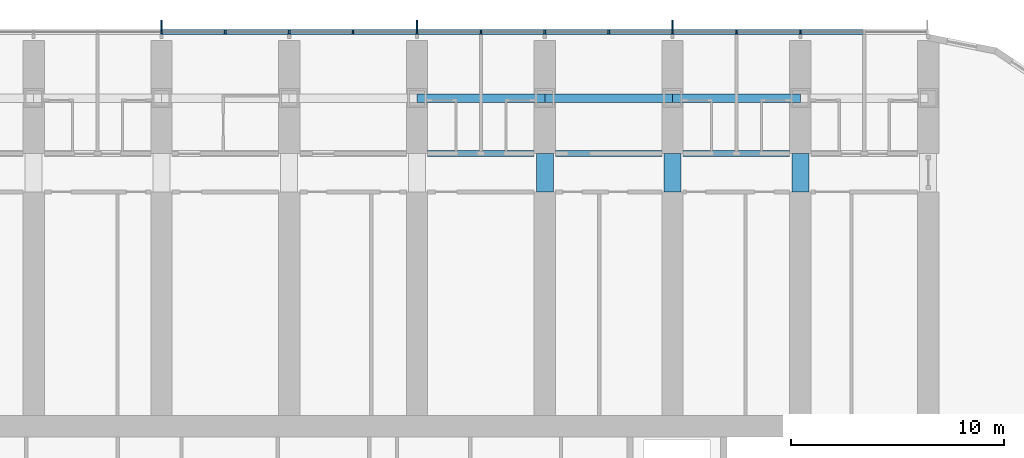
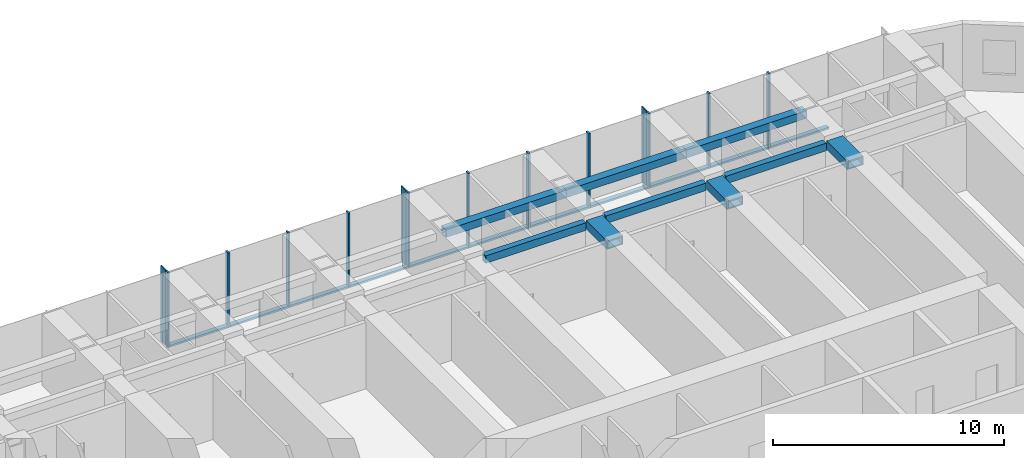
# One storey, part 7 of 28: 25 members, 9 beams, 1 element without a shape of its own.
"""IFC4 building model written with IfcOpenShell, lengths in metres."""

from ifc_helpers import new_model, si_unit, direction, frame, origin, origin_2d, place, context, subcontext, project, spatial, rectangle, hollow_rectangle, extrude, material, material_profile, profile_set, type_object, element, aggregate, save


model = new_model("IFC4")

# Units and contexts
model_context = context("Model", 3, precision=1e-05, world=origin(), true_north=direction((0.0, 1.0)))
body_context = subcontext(model_context, "Body", "Model", "MODEL_VIEW")
ifc_project = project(units=[si_unit("LENGTHUNIT", "METRE"), si_unit("AREAUNIT", "SQUARE_METRE"), si_unit("VOLUMEUNIT", "CUBIC_METRE"), si_unit("PLANEANGLEUNIT", "RADIAN"), si_unit("MASSUNIT", "GRAM", prefix="KILO")], contexts=[model_context])

# Site, building, storey
site_placement = place(None, origin())
site = spatial("IfcSite", under=ifc_project, at=site_placement, CompositionType="ELEMENT")
building_placement = place(site_placement, origin())
building = spatial("IfcBuilding", under=site, at=building_placement, Name="Orbita Commons", CompositionType="ELEMENT")
storey_placement = place(building_placement, frame((0.0, 0.0, 23.949951171875)))
storey = spatial("IfcBuildingStorey", under=building, at=storey_placement, Name="L05", CompositionType="ELEMENT", Elevation=23.949951171875)

# Curtain wall, members
ifc_material_1 = material(Name="Anodised aluminium frame, pale silver", Category="aluminium")
curtain_wall_type = type_object("IfcCurtainWallType", Name="Unitised curtain wall CW-T, vision and spandrel", PredefinedType="NOTDEFINED", material=ifc_material_1)
curtain_wall_placement = place(storey_placement, origin())
curtain_wall = element("IfcCurtainWall", 1, at=curtain_wall_placement, inside=storey, type_object=curtain_wall_type, Name="Curtain wall north L05", PredefinedType="NOTDEFINED")
ifc_material_2 = material(Name="Anodised aluminium, pale silver", Category="aluminium")
ifc_material_profile_1 = material_profile(ifc_material_2, rectangle(XDim=0.080078125, YDim=0.219970703125, at=origin_2d()), Name="AL 80x220")
ifc_profile_set_1 = profile_set([ifc_material_profile_1], Name="Anodised aluminium, pale silver")
member_type_1 = type_object("IfcMemberType", Name="Curtain wall mullion 80x220", PredefinedType="MULLION", material=ifc_profile_set_1)
member_1_placement = place(storey_placement, frame((66.0, 56.7099609375, -0.449951171875), z_axis=(0.0, 0.0, 1.0), x_axis=(-1.0, 0.0, 0.0)))
member_1 = element("IfcMember", 2, at=member_1_placement, type_object=member_type_1, Name="Mullion 3 CW-L05-N", PredefinedType="MULLION", context=body_context, shape_type="SweptSolid", body=[
    extrude(rectangle(XDim=0.080078125, YDim=0.219970703125, at=origin_2d()), origin(), (0.0, 0.0, 1.0), 3.949951171875),
])
member_2_placement = place(storey_placement, frame((63.0, 56.7099609375, -0.449951171875), z_axis=(0.0, 0.0, 1.0), x_axis=(-1.0, 0.0, 0.0)))
member_2 = element("IfcMember", 3, at=member_2_placement, type_object=member_type_1, Name="Mullion 4 CW-L05-N", PredefinedType="MULLION", context=body_context, shape_type="SweptSolid", body=[
    extrude(rectangle(XDim=0.080078125, YDim=0.219970703125, at=origin_2d()), origin(), (0.0, 0.0, 1.0), 3.949951171875),
])
member_3_placement = place(storey_placement, frame((60.0, 56.7099609375, -0.449951171875), z_axis=(0.0, 0.0, 1.0), x_axis=(-1.0, 0.0, 0.0)))
member_3 = element("IfcMember", 4, at=member_3_placement, type_object=member_type_1, Name="Mullion 5 CW-L05-N", PredefinedType="MULLION", context=body_context, shape_type="SweptSolid", body=[
    extrude(rectangle(XDim=0.080078125, YDim=0.219970703125, at=origin_2d()), origin(), (0.0, 0.0, 1.0), 3.949951171875),
])
member_4_placement = place(storey_placement, frame((57.0, 56.7099609375, -0.449951171875), z_axis=(0.0, 0.0, 1.0), x_axis=(-1.0, 0.0, 0.0)))
member_4 = element("IfcMember", 5, at=member_4_placement, type_object=member_type_1, Name="Mullion 6 CW-L05-N", PredefinedType="MULLION", context=body_context, shape_type="SweptSolid", body=[
    extrude(rectangle(XDim=0.080078125, YDim=0.219970703125, at=origin_2d()), origin(), (0.0, 0.0, 1.0), 3.949951171875),
])
member_5_placement = place(storey_placement, frame((54.0, 56.7099609375, -0.449951171875), z_axis=(0.0, 0.0, 1.0), x_axis=(-1.0, 0.0, 0.0)))
member_5 = element("IfcMember", 6, at=member_5_placement, type_object=member_type_1, Name="Mullion 7 CW-L05-N", PredefinedType="MULLION", context=body_context, shape_type="SweptSolid", body=[
    extrude(rectangle(XDim=0.080078125, YDim=0.219970703125, at=origin_2d()), origin(), (0.0, 0.0, 1.0), 3.949951171875),
])
member_6_placement = place(storey_placement, frame((51.0, 56.7099609375, -0.449951171875), z_axis=(0.0, 0.0, 1.0), x_axis=(-1.0, 0.0, 0.0)))
member_6 = element("IfcMember", 7, at=member_6_placement, type_object=member_type_1, Name="Mullion 8 CW-L05-N", PredefinedType="MULLION", context=body_context, shape_type="SweptSolid", body=[
    extrude(rectangle(XDim=0.080078125, YDim=0.219970703125, at=origin_2d()), origin(), (0.0, 0.0, 1.0), 3.949951171875),
])
member_7_placement = place(storey_placement, frame((48.0, 56.7099609375, -0.449951171875), z_axis=(0.0, 0.0, 1.0), x_axis=(-1.0, 0.0, 0.0)))
member_7 = element("IfcMember", 8, at=member_7_placement, type_object=member_type_1, Name="Mullion 9 CW-L05-N", PredefinedType="MULLION", context=body_context, shape_type="SweptSolid", body=[
    extrude(rectangle(XDim=0.080078125, YDim=0.219970703125, at=origin_2d()), origin(), (0.0, 0.0, 1.0), 3.949951171875),
])
member_8_placement = place(storey_placement, frame((45.0, 56.7099609375, -0.449951171875), z_axis=(0.0, 0.0, 1.0), x_axis=(-1.0, 0.0, 0.0)))
member_8 = element("IfcMember", 9, at=member_8_placement, type_object=member_type_1, Name="Mullion 10 CW-L05-N", PredefinedType="MULLION", context=body_context, shape_type="SweptSolid", body=[
    extrude(rectangle(XDim=0.080078125, YDim=0.219970703125, at=origin_2d()), origin(), (0.0, 0.0, 1.0), 3.949951171875),
])
member_9_placement = place(storey_placement, frame((42.0, 56.7099609375, -0.449951171875), z_axis=(0.0, 0.0, 1.0), x_axis=(-1.0, 0.0, 0.0)))
member_9 = element("IfcMember", 10, at=member_9_placement, type_object=member_type_1, Name="Mullion 11 CW-L05-N", PredefinedType="MULLION", context=body_context, shape_type="SweptSolid", body=[
    extrude(rectangle(XDim=0.080078125, YDim=0.219970703125, at=origin_2d()), origin(), (0.0, 0.0, 1.0), 3.949951171875),
])
member_10_placement = place(storey_placement, frame((39.0, 56.7099609375, -0.449951171875), z_axis=(0.0, 0.0, 1.0), x_axis=(-1.0, 0.0, 0.0)))
member_10 = element("IfcMember", 11, at=member_10_placement, type_object=member_type_1, Name="Mullion 12 CW-L05-N", PredefinedType="MULLION", context=body_context, shape_type="SweptSolid", body=[
    extrude(rectangle(XDim=0.080078125, YDim=0.219970703125, at=origin_2d()), origin(), (0.0, 0.0, 1.0), 3.949951171875),
])
member_11_placement = place(storey_placement, frame((36.0, 56.7099609375, -0.449951171875), z_axis=(0.0, 0.0, 1.0), x_axis=(-1.0, 0.0, 0.0)))
member_11 = element("IfcMember", 12, at=member_11_placement, type_object=member_type_1, Name="Mullion 13 CW-L05-N", PredefinedType="MULLION", context=body_context, shape_type="SweptSolid", body=[
    extrude(rectangle(XDim=0.080078125, YDim=0.219970703125, at=origin_2d()), origin(), (0.0, 0.0, 1.0), 3.949951171875),
])
ifc_material_3 = material(Name="Anodised aluminium, pale silver", Category="aluminium")
ifc_material_profile_2 = material_profile(ifc_material_3, rectangle(XDim=0.219970703125, YDim=0.10009765625, at=origin_2d()), Name="AL 220x100")
ifc_profile_set_2 = profile_set([ifc_material_profile_2], Name="Anodised aluminium, pale silver")
member_type_2 = type_object("IfcMemberType", Name="Curtain wall stack transom 220x100", PredefinedType="USERDEFINED", material=ifc_profile_set_2)
member_12_placement = place(storey_placement, frame((68.9599609375, 56.7099609375, -0.39990234375), z_axis=(-1.0, 0.0, 0.0), x_axis=(0.0, -1.0, 0.0)))
member_12 = element("IfcMember", 13, at=member_12_placement, type_object=member_type_2, Name="Transom 2.1 CW-L05-N", ObjectType="TRANSOM", PredefinedType="USERDEFINED", context=body_context, shape_type="SweptSolid", body=[
    extrude(rectangle(XDim=0.219970703125, YDim=0.10009765625, at=origin_2d()), origin(), (0.0, 0.0, 1.0), 2.919921875),
])
member_13_placement = place(storey_placement, frame((65.9599609375, 56.7099609375, -0.39990234375), z_axis=(-1.0, 0.0, 0.0), x_axis=(0.0, -1.0, 0.0)))
member_13 = element("IfcMember", 14, at=member_13_placement, type_object=member_type_2, Name="Transom 3.1 CW-L05-N", ObjectType="TRANSOM", PredefinedType="USERDEFINED", context=body_context, shape_type="SweptSolid", body=[
    extrude(rectangle(XDim=0.219970703125, YDim=0.10009765625, at=origin_2d()), origin(), (0.0, 0.0, 1.0), 2.919921875),
])
member_14_placement = place(storey_placement, frame((62.9599609375, 56.7099609375, -0.39990234375), z_axis=(-1.0, 0.0, 0.0), x_axis=(0.0, -1.0, 0.0)))
member_14 = element("IfcMember", 15, at=member_14_placement, type_object=member_type_2, Name="Transom 4.1 CW-L05-N", ObjectType="TRANSOM", PredefinedType="USERDEFINED", context=body_context, shape_type="SweptSolid", body=[
    extrude(rectangle(XDim=0.219970703125, YDim=0.10009765625, at=origin_2d()), origin(), (0.0, 0.0, 1.0), 2.919921875),
])
member_15_placement = place(storey_placement, frame((59.9599609375, 56.7099609375, -0.39990234375), z_axis=(-1.0, 0.0, 0.0), x_axis=(0.0, -1.0, 0.0)))
member_15 = element("IfcMember", 16, at=member_15_placement, type_object=member_type_2, Name="Transom 5.1 CW-L05-N", ObjectType="TRANSOM", PredefinedType="USERDEFINED", context=body_context, shape_type="SweptSolid", body=[
    extrude(rectangle(XDim=0.219970703125, YDim=0.10009765625, at=origin_2d()), origin(), (0.0, 0.0, 1.0), 2.919921875),
])
member_16_placement = place(storey_placement, frame((56.9599609375, 56.7099609375, -0.39990234375), z_axis=(-1.0, 0.0, 0.0), x_axis=(0.0, -1.0, 0.0)))
member_16 = element("IfcMember", 17, at=member_16_placement, type_object=member_type_2, Name="Transom 6.1 CW-L05-N", ObjectType="TRANSOM", PredefinedType="USERDEFINED", context=body_context, shape_type="SweptSolid", body=[
    extrude(rectangle(XDim=0.219970703125, YDim=0.10009765625, at=origin_2d()), origin(), (0.0, 0.0, 1.0), 2.919921875),
])
member_17_placement = place(storey_placement, frame((53.9599609375, 56.7099609375, -0.39990234375), z_axis=(-1.0, 0.0, 0.0), x_axis=(0.0, -1.0, 0.0)))
member_17 = element("IfcMember", 18, at=member_17_placement, type_object=member_type_2, Name="Transom 7.1 CW-L05-N", ObjectType="TRANSOM", PredefinedType="USERDEFINED", context=body_context, shape_type="SweptSolid", body=[
    extrude(rectangle(XDim=0.219970703125, YDim=0.10009765625, at=origin_2d()), origin(), (0.0, 0.0, 1.0), 2.919921875),
])
member_18_placement = place(storey_placement, frame((50.9599609375, 56.7099609375, -0.39990234375), z_axis=(-1.0, 0.0, 0.0), x_axis=(0.0, -1.0, 0.0)))
member_18 = element("IfcMember", 19, at=member_18_placement, type_object=member_type_2, Name="Transom 8.1 CW-L05-N", ObjectType="TRANSOM", PredefinedType="USERDEFINED", context=body_context, shape_type="SweptSolid", body=[
    extrude(rectangle(XDim=0.219970703125, YDim=0.10009765625, at=origin_2d()), origin(), (0.0, 0.0, 1.0), 2.919921875),
])
member_19_placement = place(storey_placement, frame((47.9599609375, 56.7099609375, -0.39990234375), z_axis=(-1.0, 0.0, 0.0), x_axis=(0.0, -1.0, 0.0)))
member_19 = element("IfcMember", 20, at=member_19_placement, type_object=member_type_2, Name="Transom 9.1 CW-L05-N", ObjectType="TRANSOM", PredefinedType="USERDEFINED", context=body_context, shape_type="SweptSolid", body=[
    extrude(rectangle(XDim=0.219970703125, YDim=0.10009765625, at=origin_2d()), origin(), (0.0, 0.0, 1.0), 2.919921875),
])
member_20_placement = place(storey_placement, frame((44.9599609375, 56.7099609375, -0.39990234375), z_axis=(-1.0, 0.0, 0.0), x_axis=(0.0, -1.0, 0.0)))
member_20 = element("IfcMember", 21, at=member_20_placement, type_object=member_type_2, Name="Transom 10.1 CW-L05-N", ObjectType="TRANSOM", PredefinedType="USERDEFINED", context=body_context, shape_type="SweptSolid", body=[
    extrude(rectangle(XDim=0.219970703125, YDim=0.10009765625, at=origin_2d()), origin(), (0.0, 0.0, 1.0), 2.919921875),
])
member_21_placement = place(storey_placement, frame((41.9599609375, 56.7099609375, -0.39990234375), z_axis=(-1.0, 0.0, 0.0), x_axis=(0.0, -1.0, 0.0)))
member_21 = element("IfcMember", 22, at=member_21_placement, type_object=member_type_2, Name="Transom 11.1 CW-L05-N", ObjectType="TRANSOM", PredefinedType="USERDEFINED", context=body_context, shape_type="SweptSolid", body=[
    extrude(rectangle(XDim=0.219970703125, YDim=0.10009765625, at=origin_2d()), origin(), (0.0, 0.0, 1.0), 2.919921875),
])
member_22_placement = place(storey_placement, frame((38.9599609375, 56.7099609375, -0.39990234375), z_axis=(-1.0, 0.0, 0.0), x_axis=(0.0, -1.0, 0.0)))
member_22 = element("IfcMember", 23, at=member_22_placement, type_object=member_type_2, Name="Transom 12.1 CW-L05-N", ObjectType="TRANSOM", PredefinedType="USERDEFINED", context=body_context, shape_type="SweptSolid", body=[
    extrude(rectangle(XDim=0.219970703125, YDim=0.10009765625, at=origin_2d()), origin(), (0.0, 0.0, 1.0), 2.919921875),
])

# Beams
ifc_material_4 = material(Name="Steel ASTM A572 Gr 50 welded plate", Category="steel")
ifc_material_profile_3 = material_profile(ifc_material_4, hollow_rectangle(XDim=0.300048828125, YDim=0.39990234375, WallThickness=0.0400390625, at=origin_2d()), Name="BOX 400x300x40")
ifc_profile_set_3 = profile_set([ifc_material_profile_3], Name="Steel ASTM A572 Gr 50 welded plate")
beam_type_1 = type_object("IfcBeamType", Name="Steel corridor link BOX 400x300x40", PredefinedType="BEAM", material=ifc_profile_set_3)
for number, where, z_axis, x_axis, name in (
    (24, (48.5, 51.0, 3.300048828125), (1.0, 0.0, 0.0), (0.0, 1.0, 0.0), "Corridor beam NB 9-10 L05"),
    (25, (54.5, 51.0, 3.300048828125), (1.0, 0.0, 0.0), (0.0, 1.0, 0.0), "Corridor beam NB 10-11 L05"),
    (26, (60.5, 51.0, 3.300048828125), (1.0, 0.0, 0.0), (0.0, 1.0, 0.0), "Corridor beam NB 11-12 L05"),
):
    element("IfcBeam", number, at=place(storey_placement, frame(where, z_axis=z_axis, x_axis=x_axis)), inside=storey, type_object=beam_type_1, Name=name, PredefinedType="BEAM", context=body_context, shape_type="SweptSolid", body=[
        extrude(hollow_rectangle(XDim=0.300048828125, YDim=0.39990234375, WallThickness=0.0400390625, at=origin_2d()), origin(), (0.0, 0.0, 1.0), 5.0),
    ])
ifc_material_5 = material(Name="Steel ASTM A572 Gr 50 welded plate", Category="steel")
ifc_material_profile_4 = material_profile(ifc_material_5, hollow_rectangle(XDim=0.800048828125, YDim=0.449951171875, WallThickness=0.06005859375, at=origin_2d()), Name="BOX 450x800x60")
ifc_profile_set_4 = profile_set([ifc_material_profile_4], Name="Steel ASTM A572 Gr 50 welded plate")
beam_type_2 = type_object("IfcBeamType", Name="Steel coupling link BOX 450x800x60", PredefinedType="LINTEL", material=ifc_profile_set_4)
for number, where, z_axis, x_axis, name in (
    (27, (54.0, 49.199951171875, 3.275146484375), (0.0, 1.0, 0.0), (-1.0, 0.0, 0.0), "Coupling beam 10 north L05"),
    (28, (60.0, 49.199951171875, 3.275146484375), (0.0, 1.0, 0.0), (-1.0, 0.0, 0.0), "Coupling beam 11 north L05"),
    (29, (66.0, 49.199951171875, 3.275146484375), (0.0, 1.0, 0.0), (-1.0, 0.0, 0.0), "Coupling beam 12 north L05"),
):
    element("IfcBeam", number, at=place(storey_placement, frame(where, z_axis=z_axis, x_axis=x_axis)), inside=storey, type_object=beam_type_2, Name=name, PredefinedType="LINTEL", context=body_context, shape_type="SweptSolid", body=[
        extrude(hollow_rectangle(XDim=0.800048828125, YDim=0.449951171875, WallThickness=0.06005859375, at=origin_2d()), origin(), (0.0, 0.0, 1.0), 1.800048828125),
    ])
ifc_material_6 = material(Name="Steel ASTM A572 Gr 50 welded plate", Category="steel")
ifc_material_profile_5 = material_profile(ifc_material_6, hollow_rectangle(XDim=0.39990234375, YDim=0.39990234375, WallThickness=0.0400390625, at=origin_2d()), Name="BOX 400x400x40")
ifc_profile_set_5 = profile_set([ifc_material_profile_5], Name="Steel ASTM A572 Gr 50 welded plate")
beam_type_3 = type_object("IfcBeamType", Name="Steel spandrel BOX 400x400x40", PredefinedType="SPANDREL", material=ifc_profile_set_5)
for number, where, z_axis, x_axis, name in (
    (30, (48.0, 53.60009765625, 3.300048828125), (1.0, 0.0, 0.0), (0.0, 1.0, 0.0), "Spandrel beam E 9-10 L05"),
    (31, (54.0, 53.60009765625, 3.300048828125), (1.0, 0.0, 0.0), (0.0, 1.0, 0.0), "Spandrel beam E 10-11 L05"),
    (32, (60.0, 53.60009765625, 3.300048828125), (1.0, 0.0, 0.0), (0.0, 1.0, 0.0), "Spandrel beam E 11-12 L05"),
):
    element("IfcBeam", number, at=place(storey_placement, frame(where, z_axis=z_axis, x_axis=x_axis)), inside=storey, type_object=beam_type_3, Name=name, PredefinedType="SPANDREL", context=body_context, shape_type="SweptSolid", body=[
        extrude(hollow_rectangle(XDim=0.39990234375, YDim=0.39990234375, WallThickness=0.0400390625, at=origin_2d()), origin(), (0.0, 0.0, 1.0), 6.0),
    ])

# Member
ifc_material_7 = material(Name="Anodised aluminium, pale silver", Category="aluminium")
ifc_material_profile_6 = material_profile(ifc_material_7, rectangle(XDim=0.06005859375, YDim=0.449951171875, at=origin_2d()), Name="FIN 60x450")
ifc_profile_set_6 = profile_set([ifc_material_profile_6], Name="Anodised aluminium, pale silver")
member_type_3 = type_object("IfcMemberType", Name="Vertical fin 60x450 pale aluminium", PredefinedType="USERDEFINED", material=ifc_profile_set_6)
member_23_placement = place(storey_placement, frame((60.0, 57.044921875, -0.449951171875), z_axis=(0.0, 0.0, 1.0), x_axis=(-1.0, 0.0, 0.0)))
member_23 = element("IfcMember", 33, at=member_23_placement, type_object=member_type_3, Name="Fin 5 CW-L05-N", ObjectType="FIN", PredefinedType="USERDEFINED", context=body_context, shape_type="SweptSolid", body=[
    extrude(rectangle(XDim=0.06005859375, YDim=0.449951171875, at=origin_2d()), origin(), (0.0, 0.0, 1.0), 3.949951171875),
])

member_24_placement = place(storey_placement, frame((48.0, 57.044921875, -0.449951171875), z_axis=(0.0, 0.0, 1.0), x_axis=(-1.0, 0.0, 0.0)))
member_24 = element("IfcMember", 34, at=member_24_placement, type_object=member_type_3, Name="Fin 9 CW-L05-N", ObjectType="FIN", PredefinedType="USERDEFINED", context=body_context, shape_type="SweptSolid", body=[
    extrude(rectangle(XDim=0.06005859375, YDim=0.449951171875, at=origin_2d()), origin(), (0.0, 0.0, 1.0), 3.949951171875),
])

member_25_placement = place(storey_placement, frame((36.0, 57.044921875, -0.449951171875), z_axis=(0.0, 0.0, 1.0), x_axis=(-1.0, 0.0, 0.0)))
member_25 = element("IfcMember", 35, at=member_25_placement, type_object=member_type_3, Name="Fin 13 CW-L05-N", ObjectType="FIN", PredefinedType="USERDEFINED", context=body_context, shape_type="SweptSolid", body=[
    extrude(rectangle(XDim=0.06005859375, YDim=0.449951171875, at=origin_2d()), origin(), (0.0, 0.0, 1.0), 3.949951171875),
])

aggregate(curtain_wall, [member_1, member_2, member_3, member_23, member_4, member_5, member_6, member_7, member_24, member_8, member_9, member_10, member_11, member_25, member_12, member_13, member_14, member_15, member_16, member_17, member_18, member_19, member_20, member_21, member_22])

save(model, "model.ifc")
